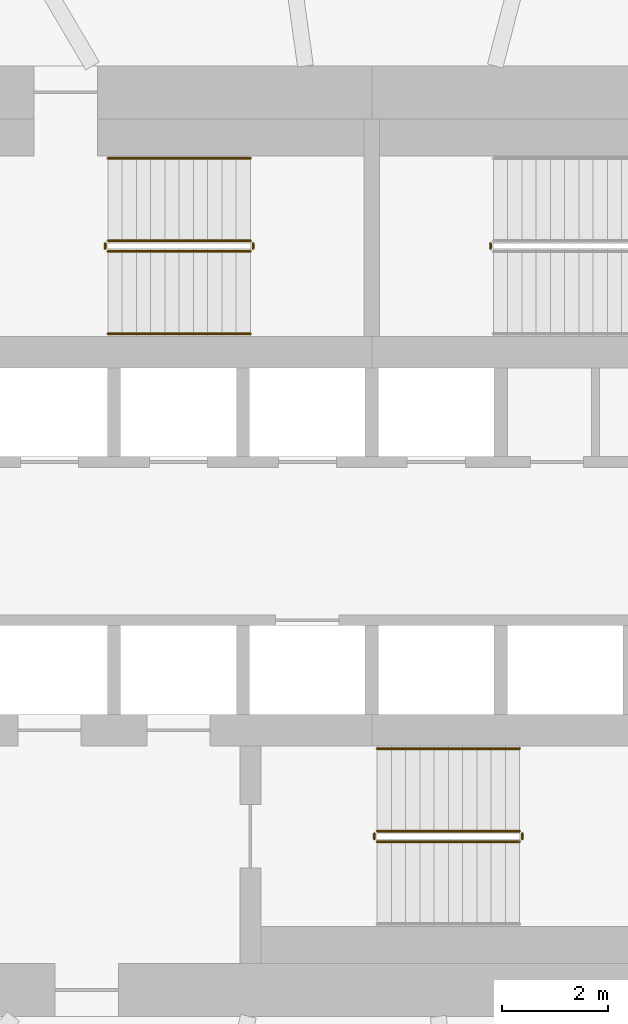
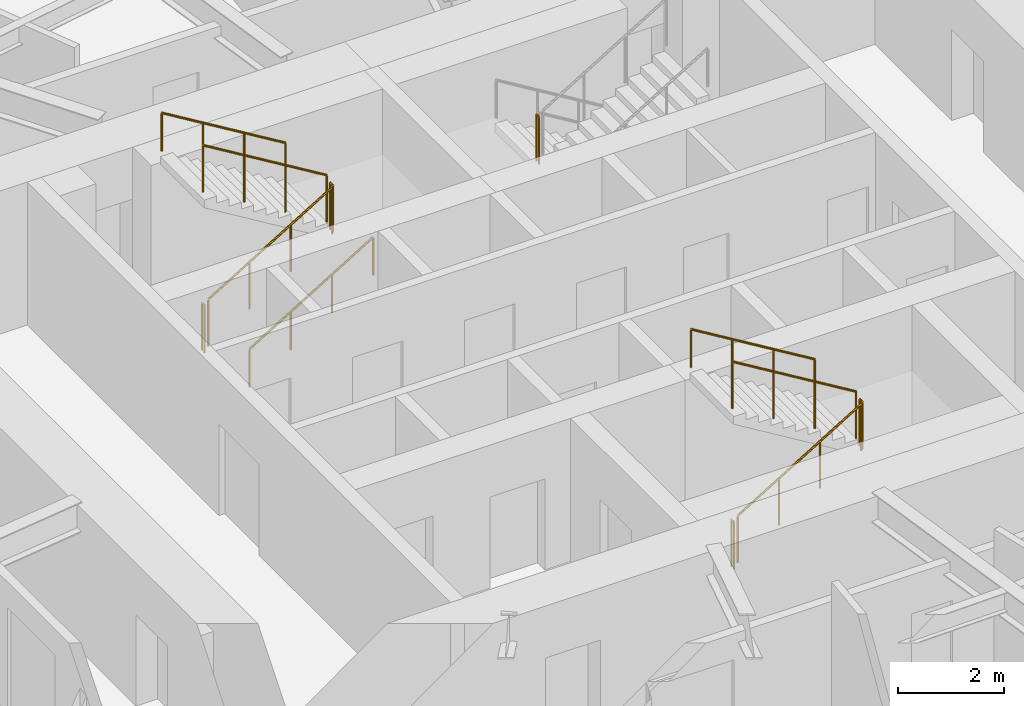
# One storey, part 12 of 15: 12 railings.
"""IFC4 building model written with IfcOpenShell, lengths in metres."""

from ifc_helpers import new_model, si_unit, direction, frame, origin, origin_2d, place, context, subcontext, project, spatial, circle, extrude, material, type_object, element, save


model = new_model("IFC4")

# Units and contexts
model_context = context("Model", 3, precision=1e-05, world=origin(), true_north=direction((0.0, 1.0)))
body_context = subcontext(model_context, "Body", "Model", "MODEL_VIEW")
ifc_project = project(units=[si_unit("LENGTHUNIT", "METRE"), si_unit("AREAUNIT", "SQUARE_METRE"), si_unit("VOLUMEUNIT", "CUBIC_METRE"), si_unit("PLANEANGLEUNIT", "RADIAN"), si_unit("MASSUNIT", "GRAM", prefix="KILO")], contexts=[model_context])

# Site, building, storey
site_placement = place(None, origin())
site = spatial("IfcSite", under=ifc_project, at=site_placement, CompositionType="ELEMENT")
building_placement = place(site_placement, origin())
building = spatial("IfcBuilding", under=site, at=building_placement, Name="Vermilion Reach Broadcast Tower", CompositionType="ELEMENT")
storey_placement = place(building_placement, frame((0.0, 0.0, 121.0)))
storey = spatial("IfcBuildingStorey", under=building, at=storey_placement, Name="L28", CompositionType="ELEMENT", Elevation=121.0)

# Railings
ifc_material_1 = material(Name="Stainless steel", Category="steel")
railing_type_1 = type_object("IfcRailingType", Name="Stair guard 1100", PredefinedType="GUARDRAIL", material=ifc_material_1)
railing_1_placement = place(storey_placement, frame((-11.0, 5.489990234375, 0.16357421875)))
element("IfcRailing", 1, at=railing_1_placement, inside=storey, type_object=railing_type_1, Name="L28 ST1 stair guard 1", PredefinedType="GUARDRAIL", context=body_context, shape_type="SweptSolid", body=[
    extrude(circle(Radius=0.02392578125, at=origin_2d()), frame((0.0, 0.0, 1.076171875), z_axis=(0.855178096276, 0.0, 0.518334277904), x_axis=(0.0, 1.0, 0.0)), (0.0, 0.0, 1.0), 3.1572265625),
    extrude(circle(Radius=0.02099609375, at=origin_2d()), origin(), (0.0, 0.0, 1.0), 1.052001953125),
    extrude(circle(Radius=0.02099609375, at=origin_2d()), frame((0.89990234375, 0.0, 0.54541015625)), (0.0, 0.0, 1.0), 1.052001953125),
    extrude(circle(Radius=0.02099609375, at=origin_2d()), frame((1.800048828125, 0.0, 1.091064453125)), (0.0, 0.0, 1.0), 1.052001953125),
    extrude(circle(Radius=0.02099609375, at=origin_2d()), frame((2.699951171875, 0.0, 1.636474609375)), (0.0, 0.0, 1.0), 1.052001953125),
])
railing_2_placement = place(storey_placement, frame((-8.25, 5.5400390625, 1.800048828125)))
element("IfcRailing", 2, at=railing_2_placement, inside=storey, type_object=railing_type_1, Name="L28 ST1 stair guard 2", PredefinedType="GUARDRAIL", context=body_context, shape_type="SweptSolid", body=[
    extrude(circle(Radius=0.02392578125, at=origin_2d()), frame((0.0, 0.0, 1.076171875), z_axis=(0.0, 1.0, 0.0), x_axis=(-1.0, 0.0, 0.0)), (0.0, 0.0, 1.0), 0.099853515625),
    extrude(circle(Radius=0.02099609375, at=origin_2d()), origin(), (0.0, 0.0, 1.0), 1.052001953125),
    extrude(circle(Radius=0.02099609375, at=origin_2d()), frame((0.0, 0.099853515625, 0.0)), (0.0, 0.0, 1.0), 1.052001953125),
])
railing_3_placement = place(storey_placement, frame((-8.300048828125, 5.68994140625, 1.963623046875)))
element("IfcRailing", 3, at=railing_3_placement, inside=storey, type_object=railing_type_1, Name="L28 ST1 stair guard 3", PredefinedType="GUARDRAIL", context=body_context, shape_type="SweptSolid", body=[
    extrude(circle(Radius=0.02392578125, at=origin_2d()), frame((0.0, 0.0, 1.076171875), z_axis=(-0.855178096276, 0.0, 0.518334277904), x_axis=(0.0, -1.0, 0.0)), (0.0, 0.0, 1.0), 3.1572265625),
    extrude(circle(Radius=0.02099609375, at=origin_2d()), origin(), (0.0, 0.0, 1.0), 1.052001953125),
    extrude(circle(Radius=0.02099609375, at=origin_2d()), frame((-0.89990234375, 0.0, 0.54541015625)), (0.0, 0.0, 1.0), 1.052001953125),
    extrude(circle(Radius=0.02099609375, at=origin_2d()), frame((-1.800048828125, 0.0, 1.091064453125)), (0.0, 0.0, 1.0), 1.052001953125),
    extrude(circle(Radius=0.02099609375, at=origin_2d()), frame((-2.699951171875, 0.0, 1.636474609375)), (0.0, 0.0, 1.0), 1.052001953125),
])
railing_4_placement = place(storey_placement, frame((-11.050048828125, 5.5400390625, 0.0)))
element("IfcRailing", 4, at=railing_4_placement, inside=storey, type_object=railing_type_1, Name="L28 ST1 stair guard 4", PredefinedType="GUARDRAIL", context=body_context, shape_type="SweptSolid", body=[
    extrude(circle(Radius=0.02392578125, at=origin_2d()), frame((0.0, 0.0, 1.076171875), z_axis=(0.0, 1.0, 0.0), x_axis=(-1.0, 0.0, 0.0)), (0.0, 0.0, 1.0), 0.099853515625),
    extrude(circle(Radius=0.02099609375, at=origin_2d()), origin(), (0.0, 0.0, 1.0), 1.052001953125),
    extrude(circle(Radius=0.02099609375, at=origin_2d()), frame((0.0, 0.099853515625, 0.0)), (0.0, 0.0, 1.0), 1.052001953125),
])
railing_5_placement = place(storey_placement, frame((-3.75, 5.639892578125, 1.800048828125)))
element("IfcRailing", 5, at=railing_5_placement, inside=storey, type_object=railing_type_1, Name="L28 ST2 stair guard 2", PredefinedType="GUARDRAIL", context=body_context, shape_type="SweptSolid", body=[
    extrude(circle(Radius=0.02392578125, at=origin_2d()), frame((0.0, 0.0, 1.076171875), z_axis=(0.0, -1.0, 0.0), x_axis=(1.0, 0.0, 0.0)), (0.0, 0.0, 1.0), 0.099853515625),
    extrude(circle(Radius=0.02099609375, at=origin_2d()), origin(), (0.0, 0.0, 1.0), 1.052001953125),
    extrude(circle(Radius=0.02099609375, at=origin_2d()), frame((0.0, -0.099853515625, 0.0)), (0.0, 0.0, 1.0), 1.052001953125),
])
railing_6_placement = place(storey_placement, frame((-5.89990234375, -5.68994140625, 0.16357421875)))
element("IfcRailing", 6, at=railing_6_placement, inside=storey, type_object=railing_type_1, Name="L28 ST3 stair guard 1", PredefinedType="GUARDRAIL", context=body_context, shape_type="SweptSolid", body=[
    extrude(circle(Radius=0.02392578125, at=origin_2d()), frame((0.0, 0.0, 1.076171875), z_axis=(0.855178096276, 0.0, 0.518334277904), x_axis=(0.0, 1.0, 0.0)), (0.0, 0.0, 1.0), 3.1572265625),
    extrude(circle(Radius=0.02099609375, at=origin_2d()), origin(), (0.0, 0.0, 1.0), 1.052001953125),
    extrude(circle(Radius=0.02099609375, at=origin_2d()), frame((0.89990234375, 0.0, 0.54541015625)), (0.0, 0.0, 1.0), 1.052001953125),
    extrude(circle(Radius=0.02099609375, at=origin_2d()), frame((1.800048828125, 0.0, 1.091064453125)), (0.0, 0.0, 1.0), 1.052001953125),
    extrude(circle(Radius=0.02099609375, at=origin_2d()), frame((2.699951171875, 0.0, 1.636474609375)), (0.0, 0.0, 1.0), 1.052001953125),
])
railing_7_placement = place(storey_placement, frame((-3.14990234375, -5.639892578125, 1.800048828125)))
element("IfcRailing", 7, at=railing_7_placement, inside=storey, type_object=railing_type_1, Name="L28 ST3 stair guard 2", PredefinedType="GUARDRAIL", context=body_context, shape_type="SweptSolid", body=[
    extrude(circle(Radius=0.02392578125, at=origin_2d()), frame((0.0, 0.0, 1.076171875), z_axis=(0.0, 1.0, 0.0), x_axis=(-1.0, 0.0, 0.0)), (0.0, 0.0, 1.0), 0.099853515625),
    extrude(circle(Radius=0.02099609375, at=origin_2d()), origin(), (0.0, 0.0, 1.0), 1.052001953125),
    extrude(circle(Radius=0.02099609375, at=origin_2d()), frame((0.0, 0.099853515625, 0.0)), (0.0, 0.0, 1.0), 1.052001953125),
])
railing_8_placement = place(storey_placement, frame((-3.199951171875, -5.489990234375, 1.963623046875)))
element("IfcRailing", 8, at=railing_8_placement, inside=storey, type_object=railing_type_1, Name="L28 ST3 stair guard 3", PredefinedType="GUARDRAIL", context=body_context, shape_type="SweptSolid", body=[
    extrude(circle(Radius=0.02392578125, at=origin_2d()), frame((0.0, 0.0, 1.076171875), z_axis=(-0.855178096276, 0.0, 0.518334277904), x_axis=(0.0, -1.0, 0.0)), (0.0, 0.0, 1.0), 3.1572265625),
    extrude(circle(Radius=0.02099609375, at=origin_2d()), origin(), (0.0, 0.0, 1.0), 1.052001953125),
    extrude(circle(Radius=0.02099609375, at=origin_2d()), frame((-0.89990234375, 0.0, 0.54541015625)), (0.0, 0.0, 1.0), 1.052001953125),
    extrude(circle(Radius=0.02099609375, at=origin_2d()), frame((-1.800048828125, 0.0, 1.091064453125)), (0.0, 0.0, 1.0), 1.052001953125),
    extrude(circle(Radius=0.02099609375, at=origin_2d()), frame((-2.699951171875, 0.0, 1.636474609375)), (0.0, 0.0, 1.0), 1.052001953125),
])
railing_9_placement = place(storey_placement, frame((-5.949951171875, -5.639892578125, 0.0)))
element("IfcRailing", 9, at=railing_9_placement, inside=storey, type_object=railing_type_1, Name="L28 ST3 stair guard 4", PredefinedType="GUARDRAIL", context=body_context, shape_type="SweptSolid", body=[
    extrude(circle(Radius=0.02392578125, at=origin_2d()), frame((0.0, 0.0, 1.076171875), z_axis=(0.0, 1.0, 0.0), x_axis=(-1.0, 0.0, 0.0)), (0.0, 0.0, 1.0), 0.099853515625),
    extrude(circle(Radius=0.02099609375, at=origin_2d()), origin(), (0.0, 0.0, 1.0), 1.052001953125),
    extrude(circle(Radius=0.02099609375, at=origin_2d()), frame((0.0, 0.099853515625, 0.0)), (0.0, 0.0, 1.0), 1.052001953125),
])
ifc_material_2 = material(Name="Stainless steel", Category="steel")
railing_type_2 = type_object("IfcRailingType", Name="Stair handrail", PredefinedType="HANDRAIL", material=ifc_material_2)
railing_10_placement = place(storey_placement, frame((-11.0, 3.929931640625, 0.16357421875)))
element("IfcRailing", 10, at=railing_10_placement, inside=storey, type_object=railing_type_2, Name="L28 ST1 stair handrail 1", PredefinedType="HANDRAIL", context=body_context, shape_type="SweptSolid", body=[
    extrude(circle(Radius=0.02392578125, at=origin_2d()), frame((0.0, 0.0, 0.8759765625), z_axis=(0.855178096276, 0.0, 0.518334277904), x_axis=(0.0, 1.0, 0.0)), (0.0, 0.0, 1.0), 3.1572265625),
    extrude(circle(Radius=0.02099609375, at=origin_2d()), origin(), (0.0, 0.0, 1.0), 0.851806640625),
    extrude(circle(Radius=0.02099609375, at=origin_2d()), frame((0.89990234375, 0.0, 0.54541015625)), (0.0, 0.0, 1.0), 0.851806640625),
    extrude(circle(Radius=0.02099609375, at=origin_2d()), frame((1.800048828125, 0.0, 1.091064453125)), (0.0, 0.0, 1.0), 0.851806640625),
    extrude(circle(Radius=0.02099609375, at=origin_2d()), frame((2.699951171875, 0.0, 1.636474609375)), (0.0, 0.0, 1.0), 0.851806640625),
])
for number, where, name in (
    (11, (-8.300048828125, 7.25, 1.963623046875), "L28 ST1 stair handrail 2"),
    (12, (-3.199951171875, -3.929931640625, 1.963623046875), "L28 ST3 stair handrail 2"),
):
    element("IfcRailing", number, at=place(storey_placement, frame(where)), inside=storey, type_object=railing_type_2, Name=name, PredefinedType="HANDRAIL", context=body_context, shape_type="SweptSolid", body=[
        extrude(circle(Radius=0.02392578125, at=origin_2d()), frame((0.0, 0.0, 0.8759765625), z_axis=(-0.855178096276, 0.0, 0.518334277904), x_axis=(0.0, -1.0, 0.0)), (0.0, 0.0, 1.0), 3.1572265625),
        extrude(circle(Radius=0.02099609375, at=origin_2d()), origin(), (0.0, 0.0, 1.0), 0.851806640625),
        extrude(circle(Radius=0.02099609375, at=origin_2d()), frame((-0.89990234375, 0.0, 0.54541015625)), (0.0, 0.0, 1.0), 0.851806640625),
        extrude(circle(Radius=0.02099609375, at=origin_2d()), frame((-1.800048828125, 0.0, 1.091064453125)), (0.0, 0.0, 1.0), 0.851806640625),
        extrude(circle(Radius=0.02099609375, at=origin_2d()), frame((-2.699951171875, 0.0, 1.636474609375)), (0.0, 0.0, 1.0), 0.851806640625),
    ])

save(model, "model.ifc")
